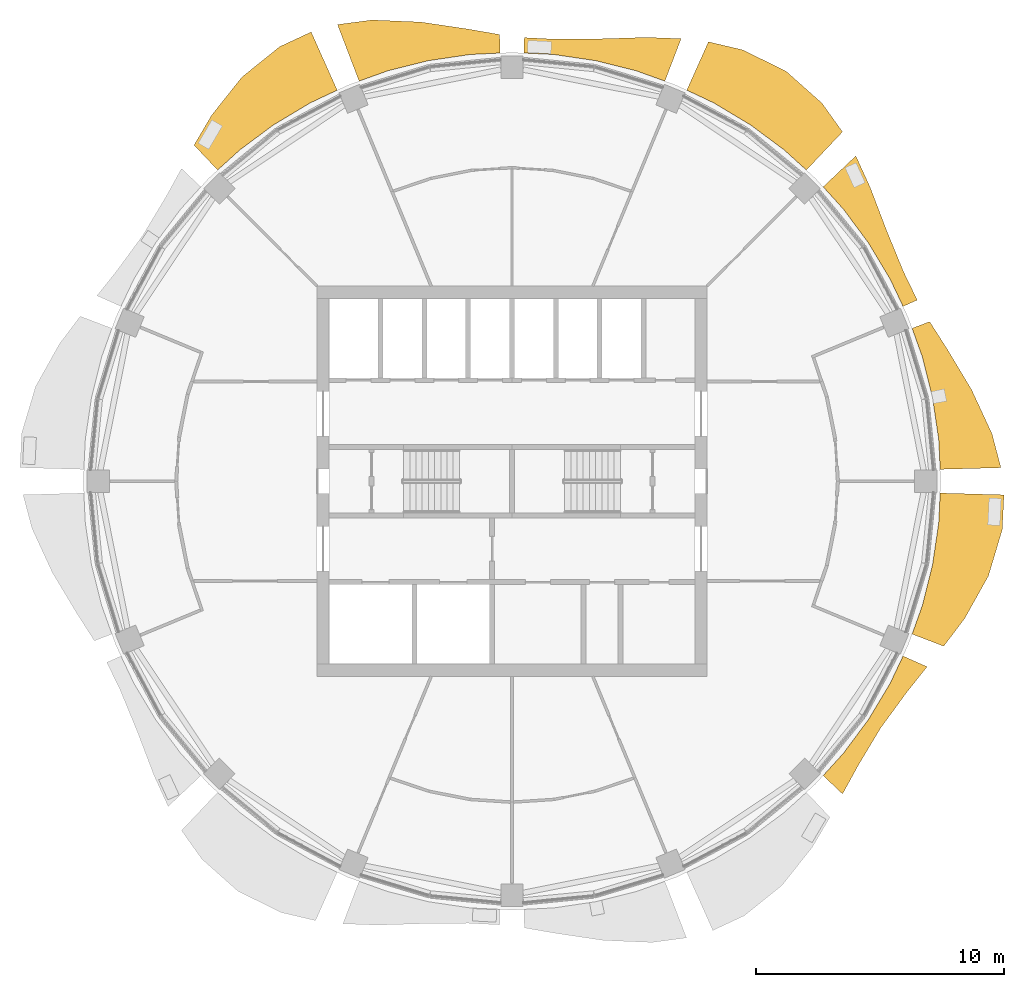
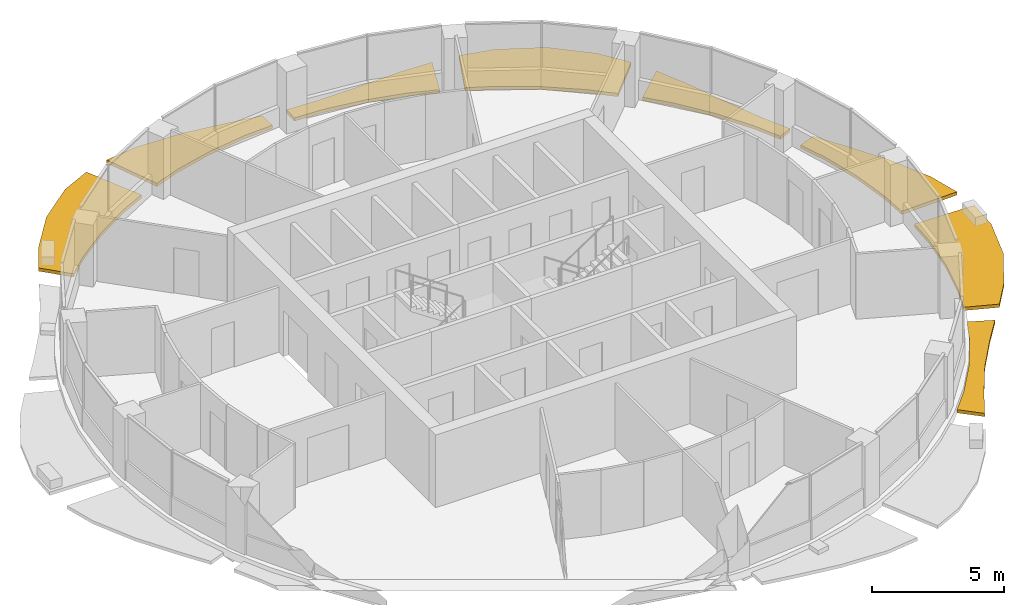
# One storey, part 14 of 15: 8 shading devices.
"""IFC4 building model written with IfcOpenShell, lengths in metres."""

from ifc_helpers import new_model, si_unit, direction, frame, origin, place, context, subcontext, project, spatial, polyline, outline, extrude, material, type_object, element, save


model = new_model("IFC4")

# Units and contexts
model_context = context("Model", 3, precision=1e-05, world=origin(), true_north=direction((0.0, 1.0)))
body_context = subcontext(model_context, "Body", "Model", "MODEL_VIEW")
ifc_project = project(units=[si_unit("LENGTHUNIT", "METRE"), si_unit("AREAUNIT", "SQUARE_METRE"), si_unit("VOLUMEUNIT", "CUBIC_METRE"), si_unit("PLANEANGLEUNIT", "RADIAN"), si_unit("MASSUNIT", "GRAM", prefix="KILO")], contexts=[model_context])

# Site, building, storey
site_placement = place(None, origin())
site = spatial("IfcSite", under=ifc_project, at=site_placement, CompositionType="ELEMENT")
building_placement = place(site_placement, origin())
building = spatial("IfcBuilding", under=site, at=building_placement, Name="Polderwave Tower", CompositionType="ELEMENT")
storey_placement = place(building_placement, frame((0.0, 0.0, 201.050048828125)))
storey = spatial("IfcBuildingStorey", under=building, at=storey_placement, Name="L54", CompositionType="ELEMENT", Elevation=201.050048828125)

# Shading devices
ifc_material = material(Name="Terracotta", Category="masonry")
shading_device_type = type_object("IfcShadingDeviceType", Name="Terracotta sunshade band", PredefinedType="USERDEFINED", material=ifc_material)
shading_device_1_placement = place(storey_placement, frame((0.0, 0.0, -0.35009765625)))
element("IfcShadingDevice", 1, at=shading_device_1_placement, inside=storey, type_object=shading_device_type, Name="Sunshade band L54 1", ObjectType="SUNSHADE", PredefinedType="USERDEFINED", context=body_context, shape_type="SweptSolid", body=[
    extrude(outline(polyline([(17.276611328125, 0.478515625), (17.216796875, 1.69580078125), (16.967529296875, 3.375), (16.55517578125, 5.02197265625), (16.14453125, 6.16943359375), (16.851806640625, 6.439697265625), (17.562255859375, 5.327392578125), (18.54638671875, 3.689208984375), (19.369873046875, 1.90771484375), (19.728515625, 0.54638671875), (17.276611328125, 0.478515625)])), origin(), (0.0, 0.0, 1.0), 0.150146484375),
])
shading_device_2_placement = place(storey_placement, frame((0.0, 0.0, -0.35009765625)))
element("IfcShadingDevice", 2, at=shading_device_2_placement, inside=storey, type_object=shading_device_type, Name="Sunshade band L54 2", ObjectType="SUNSHADE", PredefinedType="USERDEFINED", context=body_context, shape_type="SweptSolid", body=[
    extrude(outline(polyline([(15.7783203125, 7.053466796875), (15.257080078125, 8.1552734375), (14.384521484375, 9.611328125), (13.373046875, 10.97509765625), (12.5546875, 11.8779296875), (13.873291015625, 13.12548828125), (14.451904296875, 11.860107421875), (15.12109375, 10.103515625), (15.8017578125, 8.4462890625), (16.351318359375, 7.3095703125), (15.7783203125, 7.053466796875)])), origin(), (0.0, 0.0, 1.0), 0.150146484375),
])
shading_device_3_placement = place(storey_placement, frame((0.0, 0.0, -0.35009765625)))
element("IfcShadingDevice", 3, at=shading_device_3_placement, inside=storey, type_object=shading_device_type, Name="Sunshade band L54 3", ObjectType="SUNSHADE", PredefinedType="USERDEFINED", context=body_context, shape_type="SweptSolid", body=[
    extrude(outline(polyline([(11.8779296875, 12.5546875), (10.97509765625, 13.373046875), (9.611328125, 14.384521484375), (8.1552734375, 15.257080078125), (7.053466796875, 15.7783203125), (7.926025390625, 17.73046875), (9.303955078125, 17.40625), (11.055908203125, 16.546142578125), (12.51416015625, 15.248291015625), (13.33642578125, 14.095947265625), (11.8779296875, 12.5546875)])), origin(), (0.0, 0.0, 1.0), 0.150146484375),
])
shading_device_4_placement = place(storey_placement, frame((0.0, 0.0, -0.35009765625)))
element("IfcShadingDevice", 4, at=shading_device_4_placement, inside=storey, type_object=shading_device_type, Name="Sunshade band L54 4", ObjectType="SUNSHADE", PredefinedType="USERDEFINED", context=body_context, shape_type="SweptSolid", body=[
    extrude(outline(polyline([(6.16943359375, 16.14453125), (5.02197265625, 16.55517578125), (3.375, 16.967529296875), (1.69580078125, 17.216796875), (0.478515625, 17.276611328125), (0.49560546875, 17.899658203125), (1.756591796875, 17.8349609375), (3.550537109375, 17.85009765625), (5.4326171875, 17.90869140625), (6.82421875, 17.857666015625), (6.16943359375, 16.14453125)])), origin(), (0.0, 0.0, 1.0), 0.150146484375),
])
shading_device_5_placement = place(storey_placement, frame((0.0, 0.0, -0.35009765625)))
element("IfcShadingDevice", 5, at=shading_device_5_placement, inside=storey, type_object=shading_device_type, Name="Sunshade band L54 5", ObjectType="SUNSHADE", PredefinedType="USERDEFINED", context=body_context, shape_type="SweptSolid", body=[
    extrude(outline(polyline([(-0.478515625, 17.276611328125), (-1.69580078125, 17.216796875), (-3.375, 16.967529296875), (-5.02197265625, 16.55517578125), (-6.16943359375, 16.14453125), (-7.04150390625, 18.42626953125), (-5.645263671875, 18.610107421875), (-3.685302734375, 18.52734375), (-1.79736328125, 18.248046875), (-0.4990234375, 18.023193359375), (-0.478515625, 17.276611328125)])), origin(), (0.0, 0.0, 1.0), 0.150146484375),
])
shading_device_6_placement = place(storey_placement, frame((0.0, 0.0, -0.35009765625)))
element("IfcShadingDevice", 6, at=shading_device_6_placement, inside=storey, type_object=shading_device_type, Name="Sunshade band L54 6", ObjectType="SUNSHADE", PredefinedType="USERDEFINED", context=body_context, shape_type="SweptSolid", body=[
    extrude(outline(polyline([(-7.053466796875, 15.7783203125), (-8.1552734375, 15.257080078125), (-9.611328125, 14.384521484375), (-10.97509765625, 13.373046875), (-11.8779296875, 12.5546875), (-12.82958984375, 13.560546875), (-12.119873046875, 14.76806640625), (-10.89697265625, 16.308349609375), (-9.37255859375, 17.534912109375), (-8.103271484375, 18.126708984375), (-7.053466796875, 15.7783203125)])), origin(), (0.0, 0.0, 1.0), 0.150146484375),
])
shading_device_7_placement = place(storey_placement, frame((0.0, 0.0, -0.35009765625)))
element("IfcShadingDevice", 7, at=shading_device_7_placement, inside=storey, type_object=shading_device_type, Name="Sunshade band L54 15", ObjectType="SUNSHADE", PredefinedType="USERDEFINED", context=body_context, shape_type="SweptSolid", body=[
    extrude(outline(polyline([(12.5546875, -11.8779296875), (13.373046875, -10.97509765625), (14.384521484375, -9.611328125), (15.257080078125, -8.1552734375), (15.7783203125, -7.053466796875), (16.74755859375, -7.48681640625), (15.930419921875, -8.514892578125), (14.88330078125, -9.944580078125), (13.971435546875, -11.466064453125), (13.337646484375, -12.618896484375), (12.5546875, -11.8779296875)])), origin(), (0.0, 0.0, 1.0), 0.150146484375),
])
shading_device_8_placement = place(storey_placement, frame((0.0, 0.0, -0.35009765625)))
element("IfcShadingDevice", 8, at=shading_device_8_placement, inside=storey, type_object=shading_device_type, Name="Sunshade band L54 16", ObjectType="SUNSHADE", PredefinedType="USERDEFINED", context=body_context, shape_type="SweptSolid", body=[
    extrude(outline(polyline([(16.14453125, -6.16943359375), (16.55517578125, -5.02197265625), (16.967529296875, -3.375), (17.216796875, -1.69580078125), (17.276611328125, -0.478515625), (19.85205078125, -0.5498046875), (19.783203125, -1.948486328125), (19.2236328125, -3.82373046875), (18.263916015625, -5.540283203125), (17.42041015625, -6.656982421875), (16.14453125, -6.16943359375)])), origin(), (0.0, 0.0, 1.0), 0.150146484375),
])

save(model, "model.ifc")
